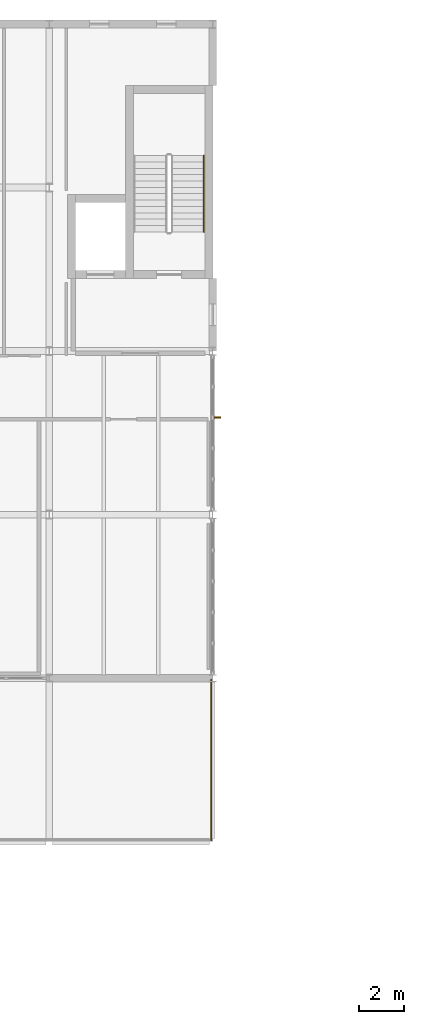
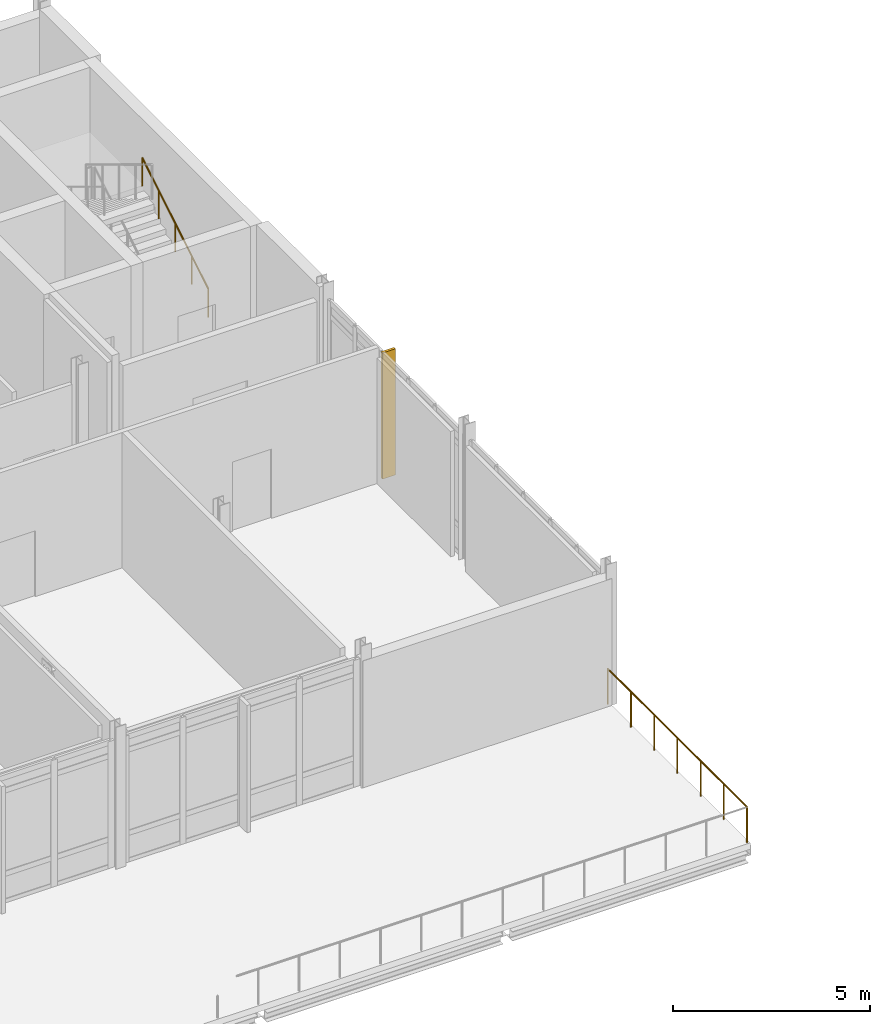
# One storey, part 53 of 53: 2 railings, 1 shading device.
"""IFC4 building model written with IfcOpenShell, lengths in metres."""

from ifc_helpers import new_model, si_unit, direction, frame, origin, origin_2d, place, context, subcontext, project, spatial, rectangle, circle, extrude, material, layer, layer_set, type_object, element, save


model = new_model("IFC4")

# Units and contexts
model_context = context("Model", 3, precision=1e-05, world=origin(), true_north=direction((0.0, 1.0)))
body_context = subcontext(model_context, "Body", "Model", "MODEL_VIEW")
ifc_project = project(units=[si_unit("LENGTHUNIT", "METRE"), si_unit("AREAUNIT", "SQUARE_METRE"), si_unit("VOLUMEUNIT", "CUBIC_METRE"), si_unit("PLANEANGLEUNIT", "RADIAN"), si_unit("MASSUNIT", "GRAM", prefix="KILO")], contexts=[model_context])

# Site, building, storey
site_placement = place(None, origin())
site = spatial("IfcSite", under=ifc_project, at=site_placement, CompositionType="ELEMENT")
building_placement = place(site_placement, origin())
building = spatial("IfcBuilding", under=site, at=building_placement, Name="Zarrinpeak Specialist Clinic", CompositionType="ELEMENT")
storey_placement = place(building_placement, frame((0.0, 0.0, 14.0)))
storey = spatial("IfcBuildingStorey", under=building, at=storey_placement, Name="L03", CompositionType="ELEMENT", Elevation=14.0)

# Railings
ifc_material_1 = material(Name="Powder-Coated Steel Post-and-Rail Balustrade", Category="steel")
ifc_layer_1 = layer(ifc_material_1, 0.06005859375)
ifc_layer_set_1 = layer_set([ifc_layer_1], Name="Powder-Coated Steel Post-and-Rail Balustrade")
railing_type_1 = type_object("IfcRailingType", Name="RL-BAL110", PredefinedType="BALUSTRADE", material=ifc_layer_set_1)
railing_1_placement = place(storey_placement, frame((64.739990234375, 82.06005859375, 0.0)))
element("IfcRailing", 1, at=railing_1_placement, inside=storey, type_object=railing_type_1, Name="L03 V6 Terrace Perimeter Guardrail GR-018", PredefinedType="BALUSTRADE", context=body_context, shape_type="SweptSolid", body=[
    extrude(circle(Radius=0.02392578125, at=origin_2d()), frame((0.0, 0.0, 1.09619140625), z_axis=(0.0, 1.0, 0.0), x_axis=(-1.0, 0.0, 0.0)), (0.0, 0.0, 1.0), 7.079833984375),
    extrude(circle(Radius=0.02099609375, at=origin_2d()), origin(), (0.0, 0.0, 1.0), 1.072021484375),
    extrude(circle(Radius=0.02099609375, at=origin_2d()), frame((0.0, 1.179931640625, 0.0)), (0.0, 0.0, 1.0), 1.072021484375),
    extrude(circle(Radius=0.02099609375, at=origin_2d()), frame((0.0, 2.35986328125, 0.0)), (0.0, 0.0, 1.0), 1.072021484375),
    extrude(circle(Radius=0.02099609375, at=origin_2d()), frame((0.0, 3.5400390625, 0.0)), (0.0, 0.0, 1.0), 1.072021484375),
    extrude(circle(Radius=0.02099609375, at=origin_2d()), frame((0.0, 4.719970703125, 0.0)), (0.0, 0.0, 1.0), 1.072021484375),
    extrude(circle(Radius=0.02099609375, at=origin_2d()), frame((0.0, 5.89990234375, 0.0)), (0.0, 0.0, 1.0), 1.072021484375),
    extrude(circle(Radius=0.02099609375, at=origin_2d()), frame((0.0, 7.079833984375, 0.0)), (0.0, 0.0, 1.0), 1.072021484375),
])
ifc_material_2 = material(Name="Brushed Stainless Steel 316 Handrail", Category="steel")
ifc_layer_2 = layer(ifc_material_2, 0.050048828125)
ifc_layer_set_2 = layer_set([ifc_layer_2], Name="Brushed Stainless Steel 316 Handrail")
railing_type_2 = type_object("IfcRailingType", Name="RL-HND92", PredefinedType="HANDRAIL", material=ifc_layer_set_2)
railing_2_placement = place(storey_placement, frame((64.39990234375, 108.85009765625, 0.169189453125)))
element("IfcRailing", 2, at=railing_2_placement, inside=storey, type_object=railing_type_2, Name="L03 ST-12 stair handrail 1", PredefinedType="HANDRAIL", context=body_context, shape_type="SweptSolid", body=[
    extrude(circle(Radius=0.02392578125, at=origin_2d()), frame((0.0, 0.0, 0.8759765625), z_axis=(0.0, 0.855820338506, 0.51727318527), x_axis=(-1.0, 0.0, 0.0)), (0.0, 0.0, 1.0), 3.92578125),
    extrude(circle(Radius=0.02099609375, at=origin_2d()), origin(), (0.0, 0.0, 1.0), 0.851806640625),
    extrude(circle(Radius=0.02099609375, at=origin_2d()), frame((0.0, 0.83984375, 0.5078125)), (0.0, 0.0, 1.0), 0.851806640625),
    extrude(circle(Radius=0.02099609375, at=origin_2d()), frame((0.0, 1.679931640625, 1.015380859375)), (0.0, 0.0, 1.0), 0.851806640625),
    extrude(circle(Radius=0.02099609375, at=origin_2d()), frame((0.0, 2.52001953125, 1.52294921875)), (0.0, 0.0, 1.0), 0.851806640625),
    extrude(circle(Radius=0.02099609375, at=origin_2d()), frame((0.0, 3.35986328125, 2.03076171875)), (0.0, 0.0, 1.0), 0.851806640625),
])

# Shading device
ifc_material_3 = material(Name="Anodised Bronze Aluminium", Category="aluminium")
shading_device_type = type_object("IfcShadingDeviceType", Name="SHD-FIN-BZ", PredefinedType="JALOUSIE", material=ifc_material_3)
shading_device_placement = place(storey_placement, frame((64.965087890625, 100.678955078125, -0.01513671875), z_axis=(0.0, 0.0, 1.0), x_axis=(1.0, 0.0, 0.0)))
element("IfcShadingDevice", 3, at=shading_device_placement, inside=storey, type_object=shading_device_type, Name="L03 V6 Solar Control Fin FIN-096", PredefinedType="JALOUSIE", context=body_context, shape_type="SweptSolid", body=[
    extrude(rectangle(XDim=0.3798828125, YDim=0.074951171875, at=origin_2d()), origin(), (0.0, 0.0, 1.0), 3.9150390625),
])

save(model, "model.ifc")
